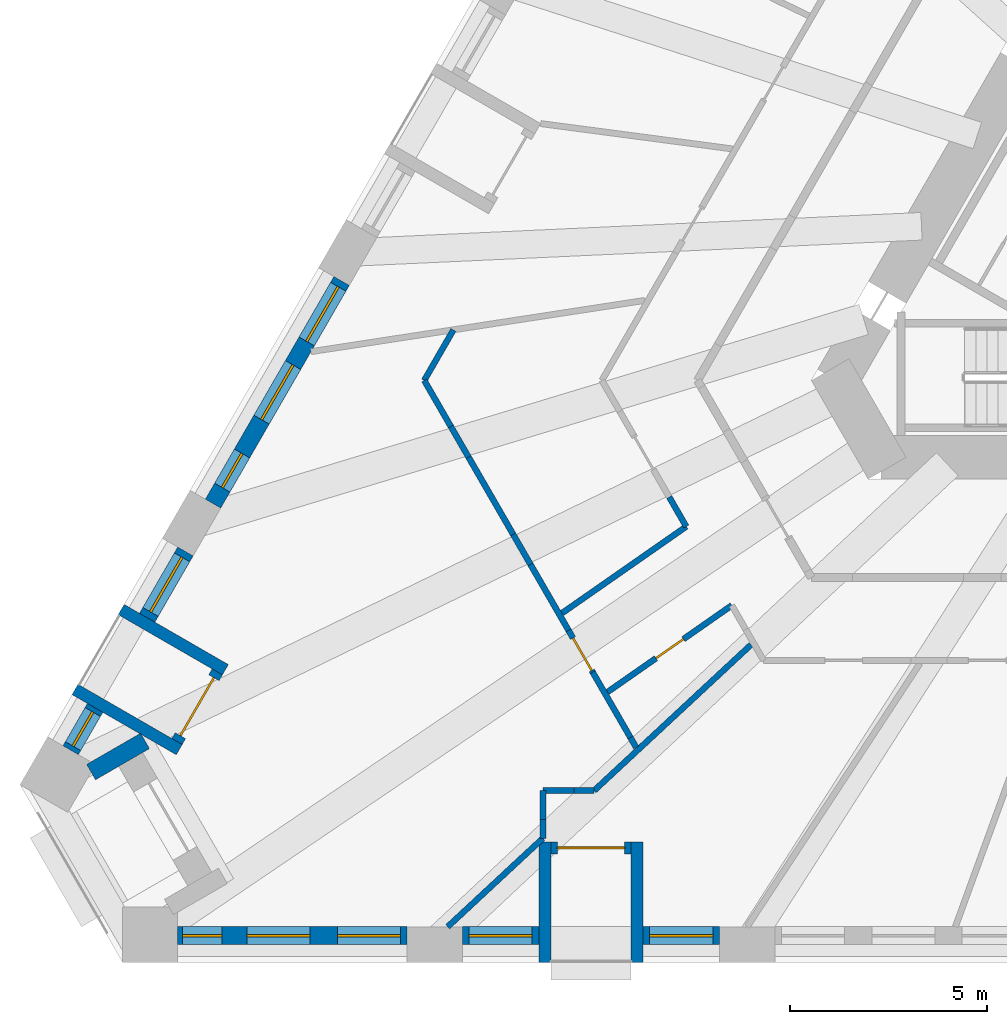
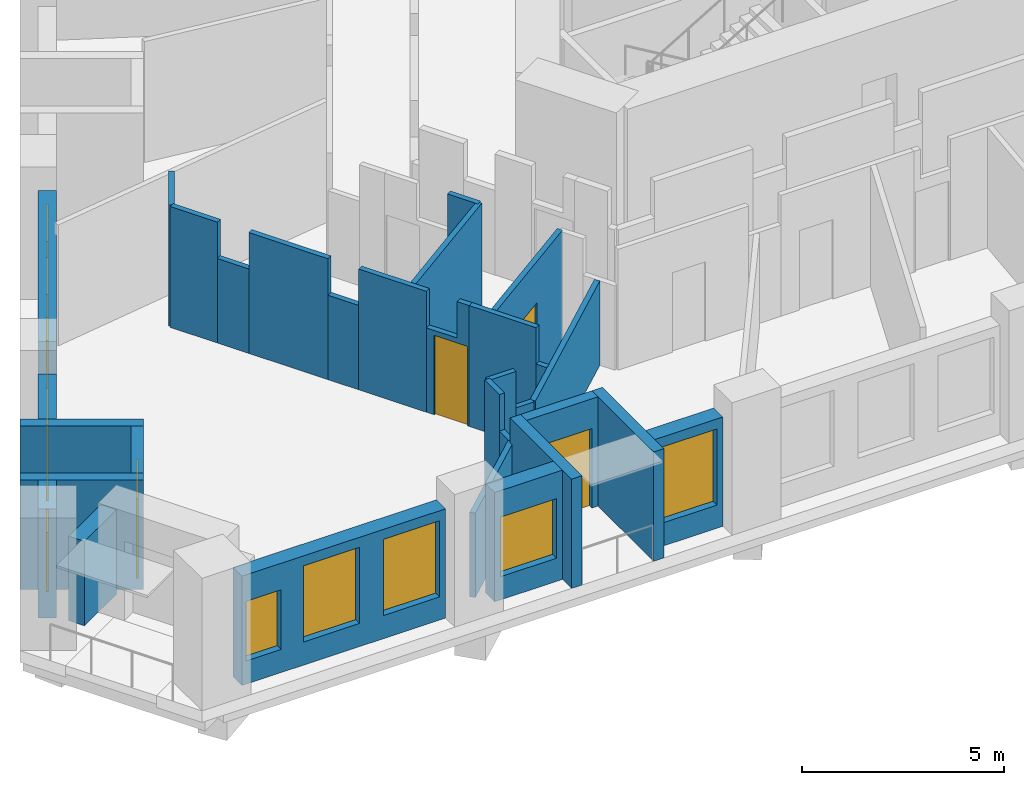
# One storey, part 2 of 14: 31 walls, 10 windows, 4 doors, 14 openings.
"""IFC4 building model written with IfcOpenShell, lengths in metres."""

import ifcopenshell
import ifcopenshell.guid

model = None  # the IFC model being written
_history = None  # IfcOwnerHistory: only IFC2X3 demands one
_inside = {}  # id of a spatial element -> (the spatial element, [elements in it])
_under = {}  # id of a project, library or spatial element -> (it, [spatial elements below it])
_declared = {}  # id of a project -> (the project, [libraries it declares])
_typed = {}  # id of a type object -> (the type object, [elements of that type])
_made_of = {}  # id of a material, layer set ... -> (it, [elements and type objects made of it])


def new_model(schema):
    """Start an empty IFC model of exactly this schema.

    Asked for "IFC4X3", IfcOpenShell would pick the latest addendum, in which some entities
    have other attributes; the version numbers below select the first issue.
    IFC2X3 requires an IfcOwnerHistory on every rooted entity: one is made here for all.
    """
    global model, _history
    if schema == "IFC4X3":
        model = ifcopenshell.file(schema_version=(4, 3, 0, 0))
    else:
        model = ifcopenshell.file(schema=schema)
    _inside.clear()
    _under.clear()
    _declared.clear()
    _typed.clear()
    _made_of.clear()
    _history = None
    if model.schema == "IFC2X3":
        org = make("IfcOrganization", Name="unknown")
        user = make(
            "IfcPersonAndOrganization",
            ThePerson=make("IfcPerson", FamilyName="unknown"),
            TheOrganization=org,
        )
        app = make(
            "IfcApplication",
            ApplicationDeveloper=org,
            Version="unknown",
            ApplicationFullName="unknown",
            ApplicationIdentifier="unknown",
        )
        _history = make(
            "IfcOwnerHistory",
            OwningUser=user,
            OwningApplication=app,
            ChangeAction="ADDED",
            CreationDate=0,
        )
    return model


def make(cls, **values):
    """One entity of the class cls with the attributes given. An attribute that is None is left unset."""
    return model.create_entity(
        cls, **{name: value for name, value in values.items() if value is not None}
    )


def rooted(cls, **values):
    """An entity with a GlobalId (a new one), such as an element, a storey or a relation."""
    return make(cls, GlobalId=ifcopenshell.guid.new(), OwnerHistory=_history, **values)


def si_unit(unit_type, name, prefix=None):
    """IfcSIUnit, for example si_unit("LENGTHUNIT", "METRE", prefix="MILLI")."""
    return make("IfcSIUnit", UnitType=unit_type, Prefix=prefix, Name=name)


def assignment(units):
    """IfcUnitAssignment: the units of a project."""
    return None if units is None else make("IfcUnitAssignment", Units=units)


def point(xyz):
    """IfcCartesianPoint."""
    return None if xyz is None else make("IfcCartesianPoint", Coordinates=xyz)


def direction(xyz):
    """IfcDirection."""
    return None if xyz is None else make("IfcDirection", DirectionRatios=xyz)


def frame(location, z_axis=None, x_axis=None):
    """IfcAxis2Placement3D, a coordinate frame: its origin and axes. An axis left out is left unset."""
    return make(
        "IfcAxis2Placement3D",
        Location=point(location),
        Axis=direction(z_axis),
        RefDirection=direction(x_axis),
    )


def frame_2d(location, x_axis=None):
    """IfcAxis2Placement2D, a coordinate frame in the plane: its origin and x axis."""
    return make(
        "IfcAxis2Placement2D", Location=point(location), RefDirection=direction(x_axis)
    )


def origin():
    """The frame at (0, 0, 0) with its axes left unset."""
    return frame((0.0, 0.0, 0.0))


def place(relative_to, where):
    """IfcLocalPlacement: puts the frame where relative to a parent placement (None: the world)."""
    return make(
        "IfcLocalPlacement", PlacementRelTo=relative_to, RelativePlacement=where
    )


def context(
    kind, dimensions, precision=None, world=None, true_north=None, identifier=None
):
    """IfcGeometricRepresentationContext, for example the 3D "Model" context."""
    return make(
        "IfcGeometricRepresentationContext",
        ContextIdentifier=identifier,
        ContextType=kind,
        CoordinateSpaceDimension=dimensions,
        Precision=precision,
        WorldCoordinateSystem=world,
        TrueNorth=true_north,
    )


def subcontext(parent, identifier, kind, view, scale=None):
    """IfcGeometricRepresentationSubContext, for example "Body" below "Model"."""
    return make(
        "IfcGeometricRepresentationSubContext",
        ContextIdentifier=identifier,
        ContextType=kind,
        ParentContext=parent,
        TargetScale=scale,
        TargetView=view,
    )


def project(units=None, contexts=None):
    """IfcProject with its units and contexts."""
    return rooted(
        "IfcProject",
        Name="project",
        RepresentationContexts=contexts,
        UnitsInContext=assignment(units),
    )


def spatial(cls, under=None, at=None, **own):
    """A site, building, storey or space (cls), placed at a placement, below another one or the project."""
    s = rooted(cls, ObjectPlacement=at, **own)
    if under is not None:
        _under.setdefault(under.id(), (under, []))[1].append(s)
    return s


def polyline(points):
    """IfcPolyline through the points."""
    return make("IfcPolyline", Points=[point(p) for p in points])


def profile(cls, at=None, kind="AREA", **sizes):
    """A parametric profile (cls). Its sizes go by their IFC names, for example OverallWidth=200.0."""
    return make(cls, ProfileType=kind, Position=at, **sizes)


def rectangle(**sizes):
    """IfcRectangleProfileDef."""
    return profile("IfcRectangleProfileDef", **sizes)


def outline(outer, holes=None, kind="AREA"):
    """IfcArbitraryClosedProfileDef: a profile drawn as a closed curve; with holes, ...WithVoids."""
    if holes is None:
        return make("IfcArbitraryClosedProfileDef", ProfileType=kind, OuterCurve=outer)
    return make(
        "IfcArbitraryProfileDefWithVoids",
        ProfileType=kind,
        OuterCurve=outer,
        InnerCurves=holes,
    )


def extrude(swept, where, along, depth):
    """IfcExtrudedAreaSolid: the profile swept, set in the frame where, extruded along a direction by depth."""
    return make(
        "IfcExtrudedAreaSolid",
        SweptArea=swept,
        Position=where,
        ExtrudedDirection=direction(along),
        Depth=depth,
    )


def shape(context_of_items, identifier, shape_type, items):
    """IfcShapeRepresentation: the items that make up one representation, for example the "Body"."""
    return make(
        "IfcShapeRepresentation",
        ContextOfItems=context_of_items,
        RepresentationIdentifier=identifier,
        RepresentationType=shape_type,
        Items=items,
    )


def material(Name=None, Category=None):
    """IfcMaterial."""
    return make("IfcMaterial", Name=Name, Category=Category)


def layer(
    of_material, thickness, ventilated=None, Name=None, Category=None, Priority=None
):
    """IfcMaterialLayer: one layer of a wall or slab, of a material (None: an air gap)."""
    return make(
        "IfcMaterialLayer",
        Material=of_material,
        LayerThickness=thickness,
        IsVentilated=ventilated,
        Name=Name,
        Category=Category,
        Priority=Priority,
    )


def layer_set(layers, Name=None):
    """IfcMaterialLayerSet."""
    return make("IfcMaterialLayerSet", MaterialLayers=layers, LayerSetName=Name)


def made_of(thing, what):
    """Note that an element or type object is made of a material, layer set ...; save() writes the relation."""
    if what is not None:
        _made_of.setdefault(what.id(), (what, []))[1].append(thing)
    return thing


def type_object(cls, material=None, **own):
    """A type object (cls), such as IfcWallType, which elements share."""
    return made_of(rooted(cls, **own), material)


def element(
    cls,
    number,
    at=None,
    inside=None,
    cuts=None,
    type_object=None,
    material=None,
    context=None,
    identifier="Body",
    shape_type=None,
    held_by="IfcProductDefinitionShape",
    body=None,
    shapes=None,
    **own,
):
    """One element of the class cls, such as IfcWall. Its Tag is "e" and its number.

    at: its placement. inside: the storey or other place that contains it. cuts: it is an
    opening in that element (IfcRelVoidsElement). A single representation is given by context,
    identifier, shape_type and body (its items); several are given by shapes. held_by: the class
    of the entity that holds the representations. save() writes the other relations.
    """
    e = rooted(cls, Tag="e%d" % number, ObjectPlacement=at, **own)
    if body is not None:
        shapes = [shape(context, identifier, shape_type, body)]
    if shapes is not None:
        e.Representation = make(held_by, Representations=shapes)
    if inside is not None:
        _inside.setdefault(inside.id(), (inside, []))[1].append(e)
    if cuts is not None:
        rooted(
            "IfcRelVoidsElement", RelatingBuildingElement=cuts, RelatedOpeningElement=e
        )
    if type_object is not None:
        _typed.setdefault(type_object.id(), (type_object, []))[1].append(e)
    return made_of(e, material)


def fill(opening, filler):
    """IfcRelFillsElement: the door or window that sits in an opening."""
    return rooted(
        "IfcRelFillsElement",
        RelatingOpeningElement=opening,
        RelatedBuildingElement=filler,
    )


def aggregate(whole, parts):
    """IfcRelAggregates: a whole, such as a stair, and the parts it consists of."""
    return rooted("IfcRelAggregates", RelatingObject=whole, RelatedObjects=parts)


def save(model, path):
    """Write the relations noted so far, then the file.

    IfcRelAggregates (storeys below a building ...), IfcRelContainedInSpatialStructure (elements
    in a storey), IfcRelDefinesByType, IfcRelAssociatesMaterial and IfcRelDeclares: one each for
    every whole, place, type object, material and project.
    """
    for whole, parts in _under.values():
        aggregate(whole, parts)
    for where, things in _inside.values():
        rooted(
            "IfcRelContainedInSpatialStructure",
            RelatedElements=things,
            RelatingStructure=where,
        )
    for kind, things in _typed.values():
        rooted("IfcRelDefinesByType", RelatedObjects=things, RelatingType=kind)
    for what, things in _made_of.values():
        rooted("IfcRelAssociatesMaterial", RelatedObjects=things, RelatingMaterial=what)
    for by, libraries in _declared.values():
        rooted("IfcRelDeclares", RelatingContext=by, RelatedDefinitions=libraries)
    model.write(path)


model = new_model("IFC4")

# Units and contexts
model_context = context("Model", 3, precision=1e-05, world=origin(), true_north=direction((0.0, 1.0)))
body_context = subcontext(model_context, "Body", "Model", "MODEL_VIEW")
ifc_project = project(units=[si_unit("LENGTHUNIT", "METRE"), si_unit("AREAUNIT", "SQUARE_METRE"), si_unit("VOLUMEUNIT", "CUBIC_METRE"), si_unit("PLANEANGLEUNIT", "RADIAN"), si_unit("MASSUNIT", "GRAM", prefix="KILO")], contexts=[model_context])

# Site, building, storey
site_placement = place(None, origin())
site = spatial("IfcSite", under=ifc_project, at=site_placement, CompositionType="ELEMENT")
building_placement = place(site_placement, origin())
building = spatial("IfcBuilding", under=site, at=building_placement, Name="Tramontana Tower", CompositionType="ELEMENT")
storey_placement = place(building_placement, frame((0.0, 0.0, 42.0)))
storey = spatial("IfcBuildingStorey", under=building, at=storey_placement, Name="L08", CompositionType="ELEMENT", Elevation=42.0)

# Wall, openings, windows
ifc_material_1 = material(Name="Precast concrete 60 MPa", Category="concrete")
ifc_layer_1 = layer(ifc_material_1, 0.449951171875)
ifc_layer_set_1 = layer_set([ifc_layer_1], Name="Precast concrete 60 MPa, 450 mm")
wall_type_1 = type_object("IfcWallType", Name="EW1 Stone-faced precast wall 450", PredefinedType="SOLIDWALL", material=ifc_layer_set_1)
wall_1_placement = place(storey_placement, frame((-22.158447265625, -1.7294921875, 0.0), z_axis=(0.0, 0.0, 1.0), x_axis=(-0.499990498062, -0.866030889661, 0.0)))
wall_1 = element("IfcWall", 1, at=wall_1_placement, inside=storey, type_object=wall_type_1, Name="External wall L08 face 0 bay 6", PredefinedType="SOLIDWALL", context=body_context, shape_type="SweptSolid", body=[
    extrude(rectangle(XDim=6.517822265625, YDim=0.449951171875, at=frame_2d((3.2587890625, 0.0))), origin(), (0.0, 0.0, 1.0), 3.300048828125),
])
opening_1_placement = place(wall_1_placement, frame((0.169677734375, 0.0, 0.699951171875)))
opening_1 = element("IfcOpeningElement", 2, at=opening_1_placement, cuts=wall_1, Name="Opening M1", PredefinedType="OPENING", context=body_context, shape_type="SweptSolid", body=[
    extrude(rectangle(XDim=1.60009765625, YDim=2.300048828125, at=frame_2d((0.800048828125, 1.14990234375))), frame((0.0, 0.23486328125, 0.0), z_axis=(0.0, -1.0, 0.0), x_axis=(1.0, 0.0, 0.0)), (0.0, 0.0, 1.0), 0.469970703125),
])
opening_2_placement = place(wall_1_placement, frame((2.458984375, 0.0, 0.699951171875)))
opening_2 = element("IfcOpeningElement", 3, at=opening_2_placement, cuts=wall_1, Name="Opening M1", PredefinedType="OPENING", context=body_context, shape_type="SweptSolid", body=[
    extrude(rectangle(XDim=1.60009765625, YDim=2.300048828125, at=frame_2d((0.800048828125, 1.14990234375))), frame((0.0, 0.23486328125, 0.0), z_axis=(0.0, -1.0, 0.0), x_axis=(1.0, 0.0, 0.0)), (0.0, 0.0, 1.0), 0.469970703125),
])
opening_3_placement = place(wall_1_placement, frame((5.04833984375, 0.0, 0.699951171875)))
opening_3 = element("IfcOpeningElement", 4, at=opening_3_placement, cuts=wall_1, Name="Opening N1", PredefinedType="OPENING", context=body_context, shape_type="SweptSolid", body=[
    extrude(rectangle(XDim=1.0, YDim=2.300048828125, at=frame_2d((0.5, 1.14990234375))), frame((0.0, 0.23486328125, 0.0), z_axis=(0.0, -1.0, 0.0), x_axis=(1.0, 0.0, 0.0)), (0.0, 0.0, 1.0), 0.469970703125),
])
ifc_material_2 = material(Name="Aluminum frame, double glazing unit", Category="aluminium")
window_type_1 = type_object("IfcWindowType", Name="M1 Window 1.6 x 2.3", PartitioningType="SINGLE_PANEL", PredefinedType="WINDOW", material=ifc_material_2)
window_1_placement = place(opening_1_placement, origin())
window_1 = element("IfcWindow", 5, at=window_1_placement, inside=storey, type_object=window_type_1, Name="Window M1 L08 face 0 module 16", OverallHeight=2.300048828125, OverallWidth=1.60009765625, PartitioningType="SINGLE_PANEL", PredefinedType="WINDOW", context=body_context, shape_type="SweptSolid", body=[
    extrude(rectangle(XDim=1.60009765625, YDim=2.300048828125, at=frame_2d((0.800048828125, 1.14990234375))), frame((0.0, 0.030029296875, 0.0), z_axis=(0.0, -1.0, 0.0), x_axis=(1.0, 0.0, 0.0)), (0.0, 0.0, 1.0), 0.06005859375),
])
fill(opening_1, window_1)
window_2_placement = place(opening_2_placement, origin())
window_2 = element("IfcWindow", 6, at=window_2_placement, inside=storey, type_object=window_type_1, Name="Window M1 L08 face 0 module 17", OverallHeight=2.300048828125, OverallWidth=1.60009765625, PartitioningType="SINGLE_PANEL", PredefinedType="WINDOW", context=body_context, shape_type="SweptSolid", body=[
    extrude(rectangle(XDim=1.60009765625, YDim=2.300048828125, at=frame_2d((0.800048828125, 1.14990234375))), frame((0.0, 0.030029296875, 0.0), z_axis=(0.0, -1.0, 0.0), x_axis=(1.0, 0.0, 0.0)), (0.0, 0.0, 1.0), 0.06005859375),
])
fill(opening_2, window_2)
ifc_material_3 = material(Name="Aluminum frame, double glazing unit", Category="aluminium")
window_type_2 = type_object("IfcWindowType", Name="N1 Window 1 x 2.3", PartitioningType="SINGLE_PANEL", PredefinedType="WINDOW", material=ifc_material_3)
window_3_placement = place(opening_3_placement, origin())
window_3 = element("IfcWindow", 7, at=window_3_placement, inside=storey, type_object=window_type_2, Name="Window N1 L08 face 0 module 18", OverallHeight=2.300048828125, OverallWidth=1.0, PartitioningType="SINGLE_PANEL", PredefinedType="WINDOW", context=body_context, shape_type="SweptSolid", body=[
    extrude(rectangle(XDim=1.0, YDim=2.300048828125, at=frame_2d((0.5, 1.14990234375))), frame((0.0, 0.030029296875, 0.0), z_axis=(0.0, -1.0, 0.0), x_axis=(1.0, 0.0, 0.0)), (0.0, 0.0, 1.0), 0.06005859375),
])
fill(opening_3, window_3)

# Wall, opening, window
wall_2_placement = place(storey_placement, frame((-26.117431640625, -8.586669921875, 0.0), z_axis=(0.0, 0.0, 1.0), x_axis=(-0.499944052521, -0.866057702667, 0.0)))
wall_2 = element("IfcWall", 8, at=wall_2_placement, inside=storey, type_object=wall_type_1, Name="External wall L08 face 0 bay 7", PredefinedType="SOLIDWALL", context=body_context, shape_type="SweptSolid", body=[
    extrude(rectangle(XDim=1.939208984375, YDim=0.449951171875, at=frame_2d((0.9697265625, 0.0))), origin(), (0.0, 0.0, 1.0), 3.300048828125),
])
opening_4_placement = place(wall_2_placement, frame((0.169677734375, 0.0, 0.699951171875)))
opening_4 = element("IfcOpeningElement", 9, at=opening_4_placement, cuts=wall_2, Name="Opening M1", PredefinedType="OPENING", context=body_context, shape_type="SweptSolid", body=[
    extrude(rectangle(XDim=1.60009765625, YDim=2.300048828125, at=frame_2d((0.800048828125, 1.14990234375))), frame((0.0, 0.23486328125, 0.0), z_axis=(0.0, -1.0, 0.0), x_axis=(1.0, 0.0, 0.0)), (0.0, 0.0, 1.0), 0.469970703125),
])
window_4_placement = place(opening_4_placement, origin())
window_4 = element("IfcWindow", 10, at=window_4_placement, inside=storey, type_object=window_type_1, Name="Window M1 L08 face 0 module 19", OverallHeight=2.300048828125, OverallWidth=1.60009765625, PartitioningType="SINGLE_PANEL", PredefinedType="WINDOW", context=body_context, shape_type="SweptSolid", body=[
    extrude(rectangle(XDim=1.60009765625, YDim=2.300048828125, at=frame_2d((0.800048828125, 1.14990234375))), frame((0.0, 0.030029296875, 0.0), z_axis=(0.0, -1.0, 0.0), x_axis=(1.0, 0.0, 0.0)), (0.0, 0.0, 1.0), 0.06005859375),
])
fill(opening_4, window_4)

wall_3_placement = place(storey_placement, frame((-28.40673828125, -12.5517578125, 0.0), z_axis=(0.0, 0.0, 1.0), x_axis=(-0.499995303914, -0.866028115054, 0.0)))
wall_3 = element("IfcWall", 11, at=wall_3_placement, inside=storey, type_object=wall_type_1, Name="External wall L08 face 0 bay 7", PredefinedType="SOLIDWALL", context=body_context, shape_type="SweptSolid", body=[
    extrude(rectangle(XDim=1.2392578125, YDim=0.449951171875, at=frame_2d((0.61962890625, 0.0))), origin(), (0.0, 0.0, 1.0), 3.300048828125),
])
opening_5_placement = place(wall_3_placement, frame((0.11962890625, 0.0, 0.699951171875)))
opening_5 = element("IfcOpeningElement", 12, at=opening_5_placement, cuts=wall_3, Name="Opening N1L", PredefinedType="OPENING", context=body_context, shape_type="SweptSolid", body=[
    extrude(rectangle(XDim=1.0, YDim=1.800048828125, at=frame_2d((0.5, 0.89990234375))), frame((0.0, 0.23486328125, 0.0), z_axis=(0.0, -1.0, 0.0), x_axis=(1.0, 0.0, 0.0)), (0.0, 0.0, 1.0), 0.469970703125),
])
ifc_material_4 = material(Name="Aluminum frame, double glazing unit", Category="aluminium")
window_type_3 = type_object("IfcWindowType", Name="N1L Window 1 x 1.8", PartitioningType="SINGLE_PANEL", PredefinedType="WINDOW", material=ifc_material_4)
window_5_placement = place(opening_5_placement, origin())
window_5 = element("IfcWindow", 13, at=window_5_placement, inside=storey, type_object=window_type_3, Name="Window N1L L08 face 0 module 21", OverallHeight=1.800048828125, OverallWidth=1.0, PartitioningType="SINGLE_PANEL", PredefinedType="WINDOW", context=body_context, shape_type="SweptSolid", body=[
    extrude(rectangle(XDim=1.0, YDim=1.800048828125, at=frame_2d((0.5, 0.89990234375))), frame((0.0, 0.030029296875, 0.0), z_axis=(0.0, -1.0, 0.0), x_axis=(1.0, 0.0, 0.0)), (0.0, 0.0, 1.0), 0.06005859375),
])
fill(opening_5, window_5)

# Wall, openings, windows
wall_4_placement = place(storey_placement, frame((-26.312744140625, -18.324951171875, 0.0), z_axis=(0.0, 0.0, 1.0), x_axis=(1.0, 0.0, 0.0)))
wall_4 = element("IfcWall", 14, at=wall_4_placement, inside=storey, type_object=wall_type_1, Name="External wall L08 face 1 bay 1", PredefinedType="SOLIDWALL", context=body_context, shape_type="SweptSolid", body=[
    extrude(rectangle(XDim=5.81787109375, YDim=0.449951171875, at=frame_2d((2.908935546875, 0.0))), origin(), (0.0, 0.0, 1.0), 3.300048828125),
])
opening_6_placement = place(wall_4_placement, frame((0.11962890625, 0.0, 0.699951171875)))
opening_6 = element("IfcOpeningElement", 15, at=opening_6_placement, cuts=wall_4, Name="Opening N1L", PredefinedType="OPENING", context=body_context, shape_type="SweptSolid", body=[
    extrude(rectangle(XDim=1.0, YDim=1.800048828125, at=frame_2d((0.5, 0.89990234375))), frame((0.0, 0.23486328125, 0.0), z_axis=(0.0, -1.0, 0.0), x_axis=(1.0, 0.0, 0.0)), (0.0, 0.0, 1.0), 0.469970703125),
])
opening_7_placement = place(wall_4_placement, frame((1.759033203125, 0.0, 0.699951171875)))
opening_7 = element("IfcOpeningElement", 16, at=opening_7_placement, cuts=wall_4, Name="Opening M1", PredefinedType="OPENING", context=body_context, shape_type="SweptSolid", body=[
    extrude(rectangle(XDim=1.60009765625, YDim=2.300048828125, at=frame_2d((0.800048828125, 1.14990234375))), frame((0.0, 0.23486328125, 0.0), z_axis=(0.0, -1.0, 0.0), x_axis=(1.0, 0.0, 0.0)), (0.0, 0.0, 1.0), 0.469970703125),
])
opening_8_placement = place(wall_4_placement, frame((4.04833984375, 0.0, 0.699951171875)))
opening_8 = element("IfcOpeningElement", 17, at=opening_8_placement, cuts=wall_4, Name="Opening M1", PredefinedType="OPENING", context=body_context, shape_type="SweptSolid", body=[
    extrude(rectangle(XDim=1.60009765625, YDim=2.300048828125, at=frame_2d((0.800048828125, 1.14990234375))), frame((0.0, 0.23486328125, 0.0), z_axis=(0.0, -1.0, 0.0), x_axis=(1.0, 0.0, 0.0)), (0.0, 0.0, 1.0), 0.469970703125),
])
window_6_placement = place(opening_7_placement, origin())
window_6 = element("IfcWindow", 18, at=window_6_placement, inside=storey, type_object=window_type_1, Name="Window M1 L08 face 1 module 2", OverallHeight=2.300048828125, OverallWidth=1.60009765625, PartitioningType="SINGLE_PANEL", PredefinedType="WINDOW", context=body_context, shape_type="SweptSolid", body=[
    extrude(rectangle(XDim=1.60009765625, YDim=2.300048828125, at=frame_2d((0.800048828125, 1.14990234375))), frame((0.0, 0.030029296875, 0.0), z_axis=(0.0, -1.0, 0.0), x_axis=(1.0, 0.0, 0.0)), (0.0, 0.0, 1.0), 0.06005859375),
])
fill(opening_7, window_6)
window_7_placement = place(opening_8_placement, origin())
window_7 = element("IfcWindow", 19, at=window_7_placement, inside=storey, type_object=window_type_1, Name="Window M1 L08 face 1 module 3", OverallHeight=2.300048828125, OverallWidth=1.60009765625, PartitioningType="SINGLE_PANEL", PredefinedType="WINDOW", context=body_context, shape_type="SweptSolid", body=[
    extrude(rectangle(XDim=1.60009765625, YDim=2.300048828125, at=frame_2d((0.800048828125, 1.14990234375))), frame((0.0, 0.030029296875, 0.0), z_axis=(0.0, -1.0, 0.0), x_axis=(1.0, 0.0, 0.0)), (0.0, 0.0, 1.0), 0.06005859375),
])
fill(opening_8, window_7)
window_8_placement = place(opening_6_placement, origin())
window_8 = element("IfcWindow", 20, at=window_8_placement, inside=storey, type_object=window_type_3, Name="Window N1L L08 face 1 module 1", OverallHeight=1.800048828125, OverallWidth=1.0, PartitioningType="SINGLE_PANEL", PredefinedType="WINDOW", context=body_context, shape_type="SweptSolid", body=[
    extrude(rectangle(XDim=1.0, YDim=1.800048828125, at=frame_2d((0.5, 0.89990234375))), frame((0.0, 0.030029296875, 0.0), z_axis=(0.0, -1.0, 0.0), x_axis=(1.0, 0.0, 0.0)), (0.0, 0.0, 1.0), 0.06005859375),
])
fill(opening_6, window_8)

# Wall, opening, window
wall_5_placement = place(storey_placement, frame((-19.094970703125, -18.324951171875, 0.0), z_axis=(0.0, 0.0, 1.0), x_axis=(1.0, 0.0, 0.0)))
wall_5 = element("IfcWall", 21, at=wall_5_placement, inside=storey, type_object=wall_type_1, Name="External wall L08 face 1 bay 2", PredefinedType="SOLIDWALL", context=body_context, shape_type="SweptSolid", body=[
    extrude(rectangle(XDim=1.939453125, YDim=0.449951171875, at=frame_2d((0.9697265625, 0.0))), origin(), (0.0, 0.0, 1.0), 3.300048828125),
])
opening_9_placement = place(wall_5_placement, frame((0.169677734375, 0.0, 0.699951171875)))
opening_9 = element("IfcOpeningElement", 22, at=opening_9_placement, cuts=wall_5, Name="Opening M1L", PredefinedType="OPENING", context=body_context, shape_type="SweptSolid", body=[
    extrude(rectangle(XDim=1.60009765625, YDim=1.800048828125, at=frame_2d((0.800048828125, 0.89990234375))), frame((0.0, 0.23486328125, 0.0), z_axis=(0.0, -1.0, 0.0), x_axis=(1.0, 0.0, 0.0)), (0.0, 0.0, 1.0), 0.469970703125),
])
ifc_material_5 = material(Name="Aluminum frame, double glazing unit", Category="aluminium")
window_type_4 = type_object("IfcWindowType", Name="M1L Window 1.6 x 1.8", PartitioningType="SINGLE_PANEL", PredefinedType="WINDOW", material=ifc_material_5)
window_9_placement = place(opening_9_placement, origin())
window_9 = element("IfcWindow", 23, at=window_9_placement, inside=storey, type_object=window_type_4, Name="Window M1L L08 face 1 module 4", OverallHeight=1.800048828125, OverallWidth=1.60009765625, PartitioningType="SINGLE_PANEL", PredefinedType="WINDOW", context=body_context, shape_type="SweptSolid", body=[
    extrude(rectangle(XDim=1.60009765625, YDim=1.800048828125, at=frame_2d((0.800048828125, 0.89990234375))), frame((0.0, 0.030029296875, 0.0), z_axis=(0.0, -1.0, 0.0), x_axis=(1.0, 0.0, 0.0)), (0.0, 0.0, 1.0), 0.06005859375),
])
fill(opening_9, window_9)

wall_6_placement = place(storey_placement, frame((-14.51611328125, -18.324951171875, 0.0), z_axis=(0.0, 0.0, 1.0), x_axis=(1.0, 0.0, 0.0)))
wall_6 = element("IfcWall", 24, at=wall_6_placement, inside=storey, type_object=wall_type_1, Name="External wall L08 face 1 bay 2", PredefinedType="SOLIDWALL", context=body_context, shape_type="SweptSolid", body=[
    extrude(rectangle(XDim=1.939208984375, YDim=0.449951171875, at=frame_2d((0.9697265625, 0.0))), origin(), (0.0, 0.0, 1.0), 3.300048828125),
])
opening_10_placement = place(wall_6_placement, frame((0.169677734375, 0.0, 0.699951171875)))
opening_10 = element("IfcOpeningElement", 25, at=opening_10_placement, cuts=wall_6, Name="Opening M1", PredefinedType="OPENING", context=body_context, shape_type="SweptSolid", body=[
    extrude(rectangle(XDim=1.60009765625, YDim=2.300048828125, at=frame_2d((0.800048828125, 1.14990234375))), frame((0.0, 0.23486328125, 0.0), z_axis=(0.0, -1.0, 0.0), x_axis=(1.0, 0.0, 0.0)), (0.0, 0.0, 1.0), 0.469970703125),
])
window_10_placement = place(opening_10_placement, origin())
window_10 = element("IfcWindow", 26, at=window_10_placement, inside=storey, type_object=window_type_1, Name="Window M1 L08 face 1 module 6", OverallHeight=2.300048828125, OverallWidth=1.60009765625, PartitioningType="SINGLE_PANEL", PredefinedType="WINDOW", context=body_context, shape_type="SweptSolid", body=[
    extrude(rectangle(XDim=1.60009765625, YDim=2.300048828125, at=frame_2d((0.800048828125, 1.14990234375))), frame((0.0, 0.030029296875, 0.0), z_axis=(0.0, -1.0, 0.0), x_axis=(1.0, 0.0, 0.0)), (0.0, 0.0, 1.0), 0.06005859375),
])
fill(opening_10, window_10)

# Wall
wall_7_placement = place(storey_placement, frame((-28.509033203125, -14.17919921875, 0.0), z_axis=(0.0, 0.0, 1.0), x_axis=(0.866046570609, 0.499963336192, 0.0)))
element("IfcWall", 27, at=wall_7_placement, inside=storey, type_object=wall_type_1, Name="Corner loggia side wall L08 K01r", PredefinedType="SOLIDWALL", context=body_context, shape_type="SweptSolid", body=[
    extrude(rectangle(XDim=1.5791015625, YDim=0.449951171875, at=frame_2d((0.78955078125, 0.0))), origin(), (0.0, 0.0, 1.0), 2.550048828125),
])

# Wall, opening, door
ifc_material_6 = material(Name="Precast concrete 60 MPa", Category="concrete")
ifc_layer_2 = layer(ifc_material_6, 0.300048828125)
ifc_layer_set_2 = layer_set([ifc_layer_2], Name="LW1 Stone-faced loggia wall 300")
wall_type_2 = type_object("IfcWallType", Name="LW1 Stone-faced loggia wall 300", PredefinedType="SOLIDWALL", material=ifc_layer_set_2)
wall_8_placement = place(storey_placement, frame((-25.31005859375, -11.638427734375, 0.0), z_axis=(0.0, 0.0, 1.0), x_axis=(-0.500040236659, -0.866002171892, 0.0)))
wall_8 = element("IfcWall", 28, at=wall_8_placement, inside=storey, type_object=wall_type_2, Name="Loggia wall L08 G0S0.19", PredefinedType="SOLIDWALL", context=body_context, shape_type="SweptSolid", body=[
    extrude(rectangle(XDim=2.039306640625, YDim=0.300048828125, at=frame_2d((1.01953125, 0.0))), origin(), (0.0, 0.0, 1.0), 3.300048828125),
])
opening_11_placement = place(wall_8_placement, frame((0.169677734375, 0.0, 0.0)))
opening_11 = element("IfcOpeningElement", 29, at=opening_11_placement, cuts=wall_8, Name="Opening BD-0S0-19", PredefinedType="OPENING", context=body_context, shape_type="SweptSolid", body=[
    extrude(rectangle(XDim=1.699951171875, YDim=2.39990234375, at=frame_2d((0.85009765625, 1.199951171875))), frame((0.0, 0.159912109375, 0.0), z_axis=(0.0, -1.0, 0.0), x_axis=(1.0, 0.0, 0.0)), (0.0, 0.0, 1.0), 0.320068359375),
])
ifc_material_7 = material(Name="Aluminum frame, double glazing unit", Category="aluminium")
door_type_1 = type_object("IfcDoorType", Name="BD1 Sliding door 1.7 x 2.4", OperationType="SLIDING_TO_LEFT", PredefinedType="DOOR", material=ifc_material_7)
door_1_placement = place(opening_11_placement, origin())
door_1 = element("IfcDoor", 30, at=door_1_placement, inside=storey, type_object=door_type_1, Name="Loggia door L08 G0S0.19", OperationType="SLIDING_TO_LEFT", OverallHeight=2.39990234375, OverallWidth=1.699951171875, PredefinedType="DOOR", context=body_context, shape_type="SweptSolid", body=[
    extrude(rectangle(XDim=1.699951171875, YDim=2.39990234375, at=frame_2d((0.85009765625, 1.199951171875))), frame((0.0, 0.02490234375, 0.0), z_axis=(0.0, -1.0, 0.0), x_axis=(1.0, 0.0, 0.0)), (0.0, 0.0, 1.0), 0.050048828125),
])
fill(opening_11, door_1)

# Walls
for number, where, z_axis, x_axis, name in (
    (31, (-27.74658203125, -10.05859375, 0.0), (0.0, 0.0, 1.0), (0.866037623948, -0.499978833458, 0.0), "Loggia return L08 G0S0.19a"),
    (32, (-28.916259765625, -12.08447265625, 0.0), (0.0, 0.0, 1.0), (0.866037623948, -0.499978833458, 0.0), "Loggia return L08 G0S0.19b"),
):
    element("IfcWall", number, at=place(storey_placement, frame(where, z_axis=z_axis, x_axis=x_axis)), inside=storey, type_object=wall_type_2, Name=name, PredefinedType="SOLIDWALL", context=body_context, shape_type="SweptSolid", body=[
        extrude(rectangle(XDim=3.050048828125, YDim=0.300048828125, at=frame_2d((1.52490234375, 0.0))), origin(), (0.0, 0.0, 1.0), 3.300048828125),
    ])

# Wall, opening, door
wall_9_placement = place(storey_placement, frame((-16.85546875, -16.10009765625, 0.0), z_axis=(0.0, 0.0, 1.0), x_axis=(1.0, 0.0, 0.0)))
wall_9 = element("IfcWall", 33, at=wall_9_placement, inside=storey, type_object=wall_type_2, Name="Loggia wall L08 G0S1.4", PredefinedType="SOLIDWALL", context=body_context, shape_type="SweptSolid", body=[
    extrude(rectangle(XDim=2.039306640625, YDim=0.300048828125, at=frame_2d((1.01953125, 0.0))), origin(), (0.0, 0.0, 1.0), 3.300048828125),
])
opening_12_placement = place(wall_9_placement, frame((0.169677734375, 0.0, 0.0)))
opening_12 = element("IfcOpeningElement", 34, at=opening_12_placement, cuts=wall_9, Name="Opening BD-0S1-04", PredefinedType="OPENING", context=body_context, shape_type="SweptSolid", body=[
    extrude(rectangle(XDim=1.699951171875, YDim=2.39990234375, at=frame_2d((0.85009765625, 1.199951171875))), frame((0.0, 0.159912109375, 0.0), z_axis=(0.0, -1.0, 0.0), x_axis=(1.0, 0.0, 0.0)), (0.0, 0.0, 1.0), 0.320068359375),
])
door_2_placement = place(opening_12_placement, origin())
door_2 = element("IfcDoor", 35, at=door_2_placement, inside=storey, type_object=door_type_1, Name="Loggia door L08 G0S1.4", OperationType="SLIDING_TO_LEFT", OverallHeight=2.39990234375, OverallWidth=1.699951171875, PredefinedType="DOOR", context=body_context, shape_type="SweptSolid", body=[
    extrude(rectangle(XDim=1.699951171875, YDim=2.39990234375, at=frame_2d((0.85009765625, 1.199951171875))), frame((0.0, 0.02490234375, 0.0), z_axis=(0.0, -1.0, 0.0), x_axis=(1.0, 0.0, 0.0)), (0.0, 0.0, 1.0), 0.050048828125),
])
fill(opening_12, door_2)

# Walls
for number, where, z_axis, x_axis, name in (
    (36, (-17.005615234375, -19.0, 0.0), (0.0, 0.0, 1.0), (0.0, 1.0, 0.0), "Loggia return L08 G0S1.4a"),
    (37, (-14.666259765625, -19.0, 0.0), (0.0, 0.0, 1.0), (0.0, 1.0, 0.0), "Loggia return L08 G0S1.4b"),
):
    element("IfcWall", number, at=place(storey_placement, frame(where, z_axis=z_axis, x_axis=x_axis)), inside=storey, type_object=wall_type_2, Name=name, PredefinedType="SOLIDWALL", context=body_context, shape_type="SweptSolid", body=[
        extrude(rectangle(XDim=3.050048828125, YDim=0.300048828125, at=frame_2d((1.52490234375, 0.0))), origin(), (0.0, 0.0, 1.0), 3.300048828125),
    ])
ifc_material_8 = material(Name="Gypsum board partition")
ifc_layer_3 = layer(ifc_material_8, 0.14990234375)
ifc_layer_set_3 = layer_set([ifc_layer_3], Name="PARTITION 150")
wall_type_3 = type_object("IfcWallType", Name="PARTITION 150", PredefinedType="PARTITIONING", material=ifc_layer_set_3)
wall_10_placement = place(storey_placement, frame((-20.06298828125, -4.25, 0.0), z_axis=(0.0, 0.0, 1.0), x_axis=(0.500065652488, 0.865987495984, 0.0)))
element("IfcWall", 38, at=wall_10_placement, inside=storey, type_object=wall_type_3, Name="Wall v02-pw01", PredefinedType="PARTITIONING", context=body_context, shape_type="SweptSolid", body=[
    extrude(rectangle(XDim=1.477783203125, YDim=0.14990234375, at=frame_2d((0.73876953125, 0.0))), origin(), (0.0, 0.0, 1.0), 3.64990234375),
])
wall_11_placement = place(storey_placement, frame((-17.055908203125, -15.857177734375, 0.0), z_axis=(0.0, 0.0, 1.0), x_axis=(-0.732360368871, -0.680917241746, 0.0)))
element("IfcWall", 39, at=wall_11_placement, inside=storey, type_object=wall_type_3, Name="Wall v02-pw03-0", PredefinedType="PARTITIONING", context=body_context, shape_type="SweptSolid", body=[
    extrude(rectangle(XDim=3.293701171875, YDim=0.14990234375, at=frame_2d((1.64697265625, 0.0))), origin(), (0.0, 0.0, 1.0), 2.550048828125),
])
wall_12_placement = place(storey_placement, frame((-17.0556640625, -14.65185546875, 0.0), z_axis=(0.0, 0.0, 1.0), x_axis=(0.0, -1.0, 0.0)))
element("IfcWall", 40, at=wall_12_placement, inside=storey, type_object=wall_type_3, Name="Wall v02-pw04-0", PredefinedType="PARTITIONING", context=body_context, shape_type="SweptSolid", body=[
    extrude(rectangle(XDim=0.731689453125, YDim=0.14990234375, at=frame_2d((0.36572265625, 0.0))), origin(), (0.0, 0.0, 1.0), 3.64990234375),
])
wall_13_placement = place(storey_placement, frame((-17.0556640625, -15.383544921875, 0.0), z_axis=(0.0, 0.0, 1.0), x_axis=(0.0, -1.0, 0.0)))
element("IfcWall", 41, at=wall_13_placement, inside=storey, type_object=wall_type_3, Name="Wall v02-pw04-1", PredefinedType="PARTITIONING", context=body_context, shape_type="SweptSolid", body=[
    extrude(rectangle(XDim=0.4736328125, YDim=0.14990234375, at=frame_2d((0.23681640625, 0.0))), origin(), (0.0, 0.0, 1.0), 2.550048828125),
])
wall_14_placement = place(storey_placement, frame((-16.570068359375, -10.14990234375, 0.0), z_axis=(0.0, 0.0, 1.0), x_axis=(0.820344824586, 0.571869188517, 0.0)))
element("IfcWall", 42, at=wall_14_placement, inside=storey, type_object=wall_type_3, Name="Wall v02-pw05", PredefinedType="PARTITIONING", context=body_context, shape_type="SweptSolid", body=[
    extrude(rectangle(XDim=3.8388671875, YDim=0.14990234375, at=frame_2d((1.91943359375, 0.0))), origin(), (0.0, 0.0, 1.0), 3.64990234375),
])
wall_15_placement = place(storey_placement, frame((-15.757080078125, -14.64990234375, 0.0), z_axis=(0.0, 0.0, 1.0), x_axis=(-1.0, 0.0, 0.0)))
element("IfcWall", 43, at=wall_15_placement, inside=storey, type_object=wall_type_3, Name="Wall v02-pw07-0", PredefinedType="PARTITIONING", context=body_context, shape_type="SweptSolid", body=[
    extrude(rectangle(XDim=0.515625, YDim=0.14990234375, at=frame_2d((0.2578125, 0.0))), origin(), (0.0, 0.0, 1.0), 2.550048828125),
])
wall_16_placement = place(storey_placement, frame((-16.272705078125, -14.64990234375, 0.0), z_axis=(0.0, 0.0, 1.0), x_axis=(-1.0, 0.0, 0.0)))
element("IfcWall", 44, at=wall_16_placement, inside=storey, type_object=wall_type_3, Name="Wall v02-pw07-1", PredefinedType="PARTITIONING", context=body_context, shape_type="SweptSolid", body=[
    extrude(rectangle(XDim=0.781005859375, YDim=0.14990234375, at=frame_2d((0.390625, 0.0))), origin(), (0.0, 0.0, 1.0), 3.64990234375),
])
wall_17_placement = place(storey_placement, frame((-14.6904296875, -13.5556640625, 0.0), z_axis=(0.0, 0.0, 1.0), x_axis=(-0.499746649774, 0.866171626203, 0.0)))
element("IfcWall", 45, at=wall_17_placement, inside=storey, type_object=wall_type_3, Name="Wall v02-pw09-0", PredefinedType="PARTITIONING", context=body_context, shape_type="SweptSolid", body=[
    extrude(rectangle(XDim=0.291259765625, YDim=0.14990234375, at=frame_2d((0.1455078125, 0.0))), origin(), (0.0, 0.0, 1.0), 2.550048828125),
])
wall_18_placement = place(storey_placement, frame((-14.8359375, -13.303466796875, 0.0), z_axis=(0.0, 0.0, 1.0), x_axis=(-0.500024487898, 0.866011265228, 0.0)))
element("IfcWall", 46, at=wall_18_placement, inside=storey, type_object=wall_type_3, Name="Wall v02-pw09-1", PredefinedType="PARTITIONING", context=body_context, shape_type="SweptSolid", body=[
    extrude(rectangle(XDim=1.91259765625, YDim=0.14990234375, at=frame_2d((0.956298828125, 0.0))), origin(), (0.0, 0.0, 1.0), 3.64990234375),
])

# Wall, opening, door
wall_19_placement = place(storey_placement, frame((-15.792236328125, -11.647216796875, 0.0), z_axis=(0.0, 0.0, 1.0), x_axis=(-0.500015484165, 0.866016463813, 0.0)))
wall_19 = element("IfcWall", 47, at=wall_19_placement, inside=storey, type_object=wall_type_3, Name="Wall v02-pw09-2", PredefinedType="PARTITIONING", context=body_context, shape_type="SweptSolid", body=[
    extrude(outline(polyline([(0.0, 0.0), (1.22607421875, 0.0), (1.22607421875, 2.550048828125), (0.3486328125, 2.550048828125), (0.3486328125, 3.64990234375), (0.0, 3.64990234375), (0.0, 0.0)])), frame((0.0, 0.074951171875, 0.0), z_axis=(0.0, -1.0, 0.0), x_axis=(1.0, 0.0, 0.0)), (0.0, 0.0, 1.0), 0.14990234375),
])
opening_13_placement = place(wall_19_placement, frame((0.050048828125, 0.0, 0.0)))
opening_13 = element("IfcOpeningElement", 48, at=opening_13_placement, cuts=wall_19, Name="Opening B0C-11", PredefinedType="OPENING", context=body_context, shape_type="SweptSolid", body=[
    extrude(rectangle(XDim=0.949951171875, YDim=2.39990234375, at=frame_2d((0.47509765625, 1.199951171875))), frame((0.0, 0.0849609375, 0.0), z_axis=(0.0, -1.0, 0.0), x_axis=(1.0, 0.0, 0.0)), (0.0, 0.0, 1.0), 0.169921875),
])
ifc_material_9 = material(Name="Painted timber", Category="wood")
door_type_2 = type_object("IfcDoorType", Name="DOOR ROOM 950", OperationType="SINGLE_SWING_LEFT", PredefinedType="DOOR", material=ifc_material_9)
door_3_placement = place(opening_13_placement, origin())
door_3 = element("IfcDoor", 49, at=door_3_placement, inside=storey, type_object=door_type_2, Name="Door B0C-11", OperationType="SINGLE_SWING_LEFT", OverallHeight=2.39990234375, OverallWidth=0.949951171875, PredefinedType="DOOR", context=body_context, shape_type="SweptSolid", body=[
    extrude(rectangle(XDim=0.949951171875, YDim=2.39990234375, at=frame_2d((0.47509765625, 1.199951171875))), frame((0.0, 0.02490234375, 0.0), z_axis=(0.0, -1.0, 0.0), x_axis=(1.0, 0.0, 0.0)), (0.0, 0.0, 1.0), 0.050048828125),
])
fill(opening_13, door_3)

# Walls
wall_20_placement = place(storey_placement, frame((-16.4052734375, -10.58544921875, 0.0), z_axis=(0.0, 0.0, 1.0), x_axis=(-0.499963437846, 0.866046511925, 0.0)))
element("IfcWall", 50, at=wall_20_placement, inside=storey, type_object=wall_type_3, Name="Wall v02-pw09-3", PredefinedType="PARTITIONING", context=body_context, shape_type="SweptSolid", body=[
    extrude(rectangle(XDim=1.929443359375, YDim=0.14990234375, at=frame_2d((0.96484375, 0.0))), origin(), (0.0, 0.0, 1.0), 3.64990234375),
])
wall_21_placement = place(storey_placement, frame((-17.369873046875, -8.91455078125, 0.0), z_axis=(0.0, 0.0, 1.0), x_axis=(-0.499850947872, 0.86611144197, 0.0)))
element("IfcWall", 51, at=wall_21_placement, inside=storey, type_object=wall_type_3, Name="Wall v02-pw09-4", PredefinedType="PARTITIONING", context=body_context, shape_type="SweptSolid", body=[
    extrude(rectangle(XDim=0.877197265625, YDim=0.14990234375, at=frame_2d((0.4384765625, 0.0))), origin(), (0.0, 0.0, 1.0), 2.550048828125),
])
wall_22_placement = place(storey_placement, frame((-17.808349609375, -8.15478515625, 0.0), z_axis=(0.0, 0.0, 1.0), x_axis=(-0.500005951055, 0.866021967914, 0.0)))
element("IfcWall", 52, at=wall_22_placement, inside=storey, type_object=wall_type_3, Name="Wall v02-pw09-5", PredefinedType="PARTITIONING", context=body_context, shape_type="SweptSolid", body=[
    extrude(rectangle(XDim=2.26123046875, YDim=0.14990234375, at=frame_2d((1.130615234375, 0.0))), origin(), (0.0, 0.0, 1.0), 3.64990234375),
])
wall_23_placement = place(storey_placement, frame((-18.93896484375, -6.196533203125, 0.0), z_axis=(0.0, 0.0, 1.0), x_axis=(-0.499996880198, 0.866027204995, 0.0)))
element("IfcWall", 53, at=wall_23_placement, inside=storey, type_object=wall_type_3, Name="Wall v02-pw09-6", PredefinedType="PARTITIONING", context=body_context, shape_type="SweptSolid", body=[
    extrude(rectangle(XDim=0.8984375, YDim=0.14990234375, at=frame_2d((0.44921875, 0.0))), origin(), (0.0, 0.0, 1.0), 2.550048828125),
])
wall_24_placement = place(storey_placement, frame((-19.38818359375, -5.41845703125, 0.0), z_axis=(0.0, 0.0, 1.0), x_axis=(-0.500108776725, 0.865962592404, 0.0)))
element("IfcWall", 54, at=wall_24_placement, inside=storey, type_object=wall_type_3, Name="Wall v02-pw09-7", PredefinedType="PARTITIONING", context=body_context, shape_type="SweptSolid", body=[
    extrude(rectangle(XDim=1.349365234375, YDim=0.14990234375, at=frame_2d((0.6748046875, 0.0))), origin(), (0.0, 0.0, 1.0), 3.64990234375),
])
wall_25_placement = place(storey_placement, frame((-13.4208984375, -7.95458984375, 0.0), z_axis=(0.0, 0.0, 1.0), x_axis=(-0.499975693202, 0.866039436866, 0.0)))
element("IfcWall", 55, at=wall_25_placement, inside=storey, type_object=wall_type_3, Name="Wall v02-pw10-0", PredefinedType="PARTITIONING", context=body_context, shape_type="SweptSolid", body=[
    extrude(rectangle(XDim=0.8623046875, YDim=0.14990234375, at=frame_2d((0.43115234375, 0.0))), origin(), (0.0, 0.0, 1.0), 3.64990234375),
])

# Wall, opening, door
wall_26_placement = place(storey_placement, frame((-12.2666015625, -9.95361328125, 0.0), z_axis=(0.0, 0.0, 1.0), x_axis=(-0.82031498904, -0.571911985149, 0.0)))
wall_26 = element("IfcWall", 56, at=wall_26_placement, inside=storey, type_object=wall_type_3, Name="Wall v02-pw11", PredefinedType="PARTITIONING", context=body_context, shape_type="SweptSolid", body=[
    extrude(rectangle(XDim=3.8388671875, YDim=0.14990234375, at=frame_2d((1.91943359375, 0.0))), origin(), (0.0, 0.0, 1.0), 3.64990234375),
])
opening_14_placement = place(wall_26_placement, frame((1.494384765625, 0.0, 0.0)))
opening_14 = element("IfcOpeningElement", 57, at=opening_14_placement, cuts=wall_26, Name="Opening B0C-10", PredefinedType="OPENING", context=body_context, shape_type="SweptSolid", body=[
    extrude(rectangle(XDim=0.85009765625, YDim=2.39990234375, at=frame_2d((0.425048828125, 1.199951171875))), frame((0.0, 0.0849609375, 0.0), z_axis=(0.0, -1.0, 0.0), x_axis=(1.0, 0.0, 0.0)), (0.0, 0.0, 1.0), 0.169921875),
])
ifc_material_10 = material(Name="Painted timber", Category="wood")
door_type_3 = type_object("IfcDoorType", Name="DOOR BATH 850", OperationType="SINGLE_SWING_LEFT", PredefinedType="DOOR", material=ifc_material_10)
door_4_placement = place(opening_14_placement, origin())
door_4 = element("IfcDoor", 58, at=door_4_placement, inside=storey, type_object=door_type_3, Name="Door B0C-10", OperationType="SINGLE_SWING_RIGHT", OverallHeight=2.39990234375, OverallWidth=0.85009765625, PredefinedType="DOOR", context=body_context, shape_type="SweptSolid", body=[
    extrude(rectangle(XDim=0.85009765625, YDim=2.39990234375, at=frame_2d((0.425048828125, 1.199951171875))), frame((0.0, 0.02490234375, 0.0), z_axis=(0.0, -1.0, 0.0), x_axis=(1.0, 0.0, 0.0)), (0.0, 0.0, 1.0), 0.050048828125),
])
fill(opening_14, door_4)

# Wall
wall_27_placement = place(storey_placement, frame((-11.77783203125, -10.9501953125, 0.0), z_axis=(0.0, 0.0, 1.0), x_axis=(-0.732385257288, -0.680890472034, 0.0)))
element("IfcWall", 59, at=wall_27_placement, inside=storey, type_object=wall_type_3, Name="Wall v02-pw12-0", PredefinedType="PARTITIONING", context=body_context, shape_type="SweptSolid", body=[
    extrude(rectangle(XDim=5.433349609375, YDim=0.14990234375, at=frame_2d((2.716796875, 0.0))), origin(), (0.0, 0.0, 1.0), 2.550048828125),
])

save(model, "model.ifc")
